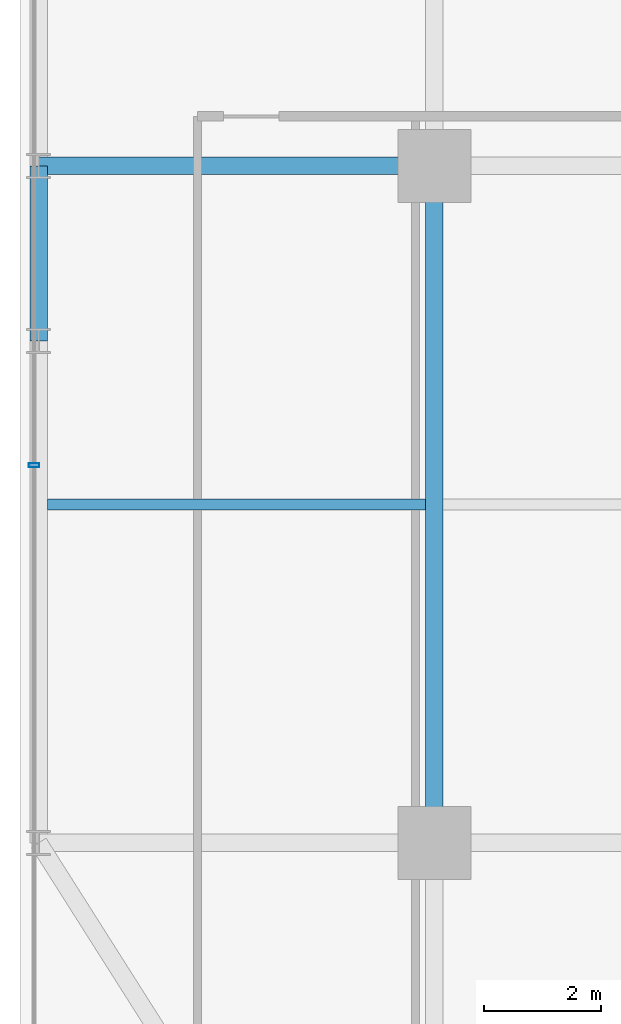
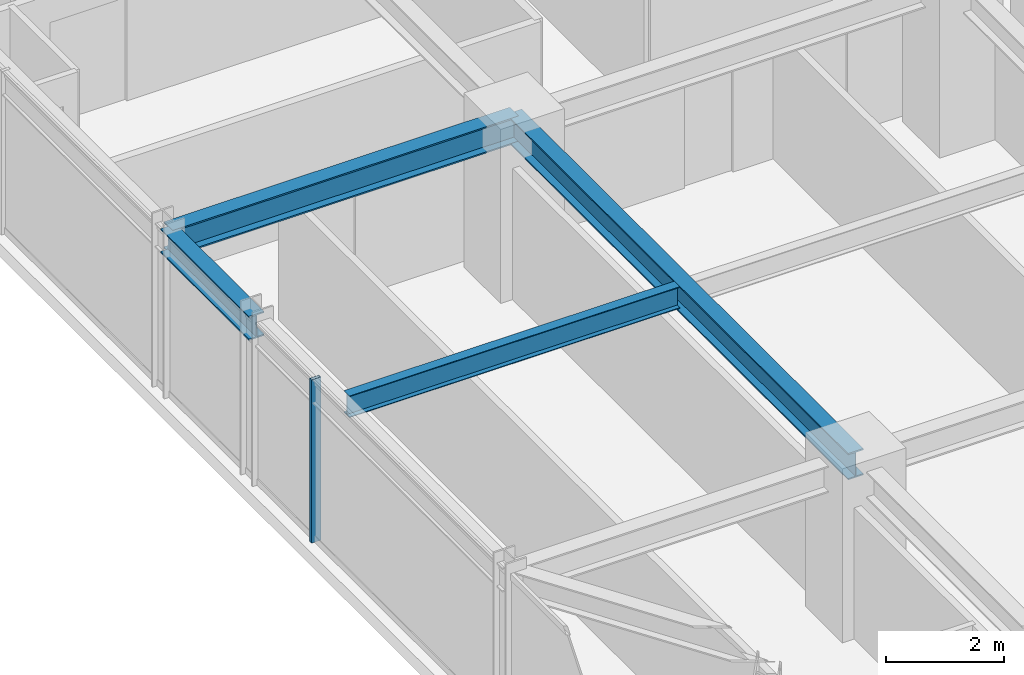
# One storey, part 7 of 33: 4 beams, 1 member, 1 element without a shape of its own.
"""IFC4 building model written with IfcOpenShell, lengths in metres."""

from ifc_helpers import new_model, si_unit, direction, frame, origin, origin_2d, place, context, subcontext, project, spatial, hollow_rectangle, i_section, extrude, source, transform, mapped, material, material_profile, profile_set, type_object, element, aggregate, save


model = new_model("IFC4")

# Units and contexts
model_context = context("Model", 3, precision=1e-05, world=origin(), true_north=direction((0.0, 1.0)))
body_context = subcontext(model_context, "Body", "Model", "MODEL_VIEW")
ifc_project = project(units=[si_unit("LENGTHUNIT", "METRE"), si_unit("AREAUNIT", "SQUARE_METRE"), si_unit("VOLUMEUNIT", "CUBIC_METRE"), si_unit("PLANEANGLEUNIT", "RADIAN"), si_unit("MASSUNIT", "GRAM", prefix="KILO")], contexts=[model_context])

# Site, building, storey
site_placement = place(None, origin())
site = spatial("IfcSite", under=ifc_project, at=site_placement, CompositionType="ELEMENT")
building_placement = place(site_placement, origin())
building = spatial("IfcBuilding", under=site, at=building_placement, Name="Nahalor Promenade Grand Hotel", CompositionType="ELEMENT")
storey_placement = place(building_placement, frame((0.0, 0.0, 132.10009765625)))
storey = spatial("IfcBuildingStorey", under=building, at=storey_placement, Name="L33", CompositionType="ELEMENT", Elevation=132.10009765625)

# Beams
ifc_material_1 = material(Name="Steel S355JR", Category="steel")
ifc_material_profile_1 = material_profile(ifc_material_1, i_section(OverallWidth=0.3, OverallDepth=0.5, WebThickness=0.0145, FlangeThickness=0.028, at=origin_2d()), Name="HEB 500")
ifc_profile_set_1 = profile_set([ifc_material_profile_1], Name="Steel S355JR")
beam_type_1 = type_object("IfcBeamType", Name="Beam-Spandrel-HEB500", PredefinedType="SPANDREL", material=ifc_profile_set_1)
shared_shape_1 = source(origin(), body_context, "Body", "SweptSolid", [
    extrude(i_section(OverallWidth=0.3, OverallDepth=0.5, WebThickness=0.0145, FlangeThickness=0.028, at=origin_2d()), origin(), (0.0, 0.0, 1.0), 3.0),
])
beam_1_placement = place(storey_placement, frame((-23.780029296875, -8.39990234375, 3.1298828125), z_axis=(0.0, 1.0, 0.0), x_axis=(-1.0, 0.0, 0.0)))
element("IfcBeam", 1, at=beam_1_placement, inside=storey, type_object=beam_type_1, Name="BM-L33-SP-W-1", PredefinedType="SPANDREL", context=body_context, shape_type="MappedRepresentation", body=[
    mapped(shared_shape_1, transform((0.0, 0.0, 0.0), scale=1.0)),
])
ifc_material_profile_2 = material_profile(ifc_material_1, i_section(OverallWidth=0.3, OverallDepth=0.55, WebThickness=0.015, FlangeThickness=0.029, at=origin_2d()), Name="HEB 550")
ifc_profile_set_2 = profile_set([ifc_material_profile_2], Name="Steel S355JR")
beam_type_2 = type_object("IfcBeamType", Name="Beam-Girder-HEB550", PredefinedType="BEAM", material=ifc_profile_set_2)
shared_shape_2 = source(origin(), body_context, "Body", "SweptSolid", [
    extrude(i_section(OverallWidth=0.3, OverallDepth=0.55, WebThickness=0.015, FlangeThickness=0.029, at=origin_2d()), origin(), (0.0, 0.0, 1.0), 6.780029296875),
])
beam_2_placement = place(storey_placement, frame((-23.780029296875, -5.39990234375, 3.10498046875), z_axis=(1.0, 0.0, 0.0), x_axis=(0.0, 1.0, 0.0)))
element("IfcBeam", 2, at=beam_2_placement, inside=storey, type_object=beam_type_2, Name="BM-L33-GX-1-0", PredefinedType="BEAM", context=body_context, shape_type="MappedRepresentation", body=[
    mapped(shared_shape_2, transform((0.0, 0.0, 0.0), scale=1.0)),
])
shared_shape_3 = source(origin(), body_context, "Body", "SweptSolid", [
    extrude(i_section(OverallWidth=0.3, OverallDepth=0.55, WebThickness=0.015, FlangeThickness=0.029, at=origin_2d()), origin(), (0.0, 0.0, 1.0), 11.60009765625),
])
beam_3_placement = place(storey_placement, frame((-17.0, -17.0, 3.10498046875), z_axis=(0.0, 1.0, 0.0), x_axis=(-1.0, 0.0, 0.0)))
element("IfcBeam", 3, at=beam_3_placement, inside=storey, type_object=beam_type_2, Name="BM-L33-GY-0-1", PredefinedType="BEAM", context=body_context, shape_type="MappedRepresentation", body=[
    mapped(shared_shape_3, transform((0.0, 0.0, 0.0), scale=1.0)),
])
ifc_material_profile_3 = material_profile(ifc_material_1, i_section(OverallWidth=0.19, OverallDepth=0.45, WebThickness=0.0094, FlangeThickness=0.0146, at=origin_2d()), Name="IPE 450")
ifc_profile_set_3 = profile_set([ifc_material_profile_3], Name="Steel S355JR")
beam_type_3 = type_object("IfcBeamType", Name="Beam-Joist-IPE450", PredefinedType="JOIST", material=ifc_profile_set_3)
shared_shape_4 = source(origin(), body_context, "Body", "SweptSolid", [
    extrude(i_section(OverallWidth=0.19, OverallDepth=0.45, WebThickness=0.0094, FlangeThickness=0.0146, at=origin_2d()), origin(), (0.0, 0.0, 1.0), 6.47998046875),
])
beam_4_placement = place(storey_placement, frame((-23.6298828125, -11.199951171875, 3.15478515625), z_axis=(1.0, 0.0, 0.0), x_axis=(0.0, 1.0, 0.0)))
element("IfcBeam", 4, at=beam_4_placement, inside=storey, type_object=beam_type_3, Name="BM-L33-JSW-0-0", PredefinedType="JOIST", context=body_context, shape_type="MappedRepresentation", body=[
    mapped(shared_shape_4, transform((0.0, 0.0, 0.0), scale=1.0)),
])

# Curtain wall, member
ifc_material_2 = material(Name="Anodised Bronze Aluminium EN AW-6063 T6", Category="aluminium")
curtain_wall_type = type_object("IfcCurtainWallType", Name="CW2 Typical Hotel Flush Bronze Unitised Curtain Wall", PredefinedType="USERDEFINED", material=ifc_material_2)
curtain_wall_placement = place(storey_placement, origin())
curtain_wall = element("IfcCurtainWall", 5, at=curtain_wall_placement, inside=storey, type_object=curtain_wall_type, Name="L33 Curtain Wall CW-L33-W-1", ObjectType="UNITISED_CURTAIN_WALL", PredefinedType="USERDEFINED")
ifc_material_profile_4 = material_profile(ifc_material_2, hollow_rectangle(XDim=0.065, YDim=0.18, WallThickness=0.004, at=origin_2d()), Name="CWM 65x180x4")
ifc_profile_set_4 = profile_set([ifc_material_profile_4], Name="Anodised Bronze Aluminium EN AW-6063 T6")
member_type = type_object("IfcMemberType", Name="CWM2 Typical Bronze Mullion 65x180", PredefinedType="MULLION", material=ifc_profile_set_4)
shared_shape_5 = source(origin(), body_context, "Body", "SweptSolid", [
    extrude(hollow_rectangle(XDim=0.065, YDim=0.18, WallThickness=0.004, at=origin_2d()), origin(), (0.0, 0.0, 1.0), 3.3798828125),
])
member_placement = place(storey_placement, frame((-23.860107421875, -10.530029296875, 0.0), z_axis=(0.0, 0.0, 1.0), x_axis=(0.0, 1.0, 0.0)))
member = element("IfcMember", 6, at=member_placement, type_object=member_type, Name="CW-L33-W-1 Mullion 1", PredefinedType="MULLION", context=body_context, shape_type="MappedRepresentation", body=[
    mapped(shared_shape_5, transform((0.0, 0.0, 0.0), scale=1.0)),
])
aggregate(curtain_wall, [member])

save(model, "model.ifc")
